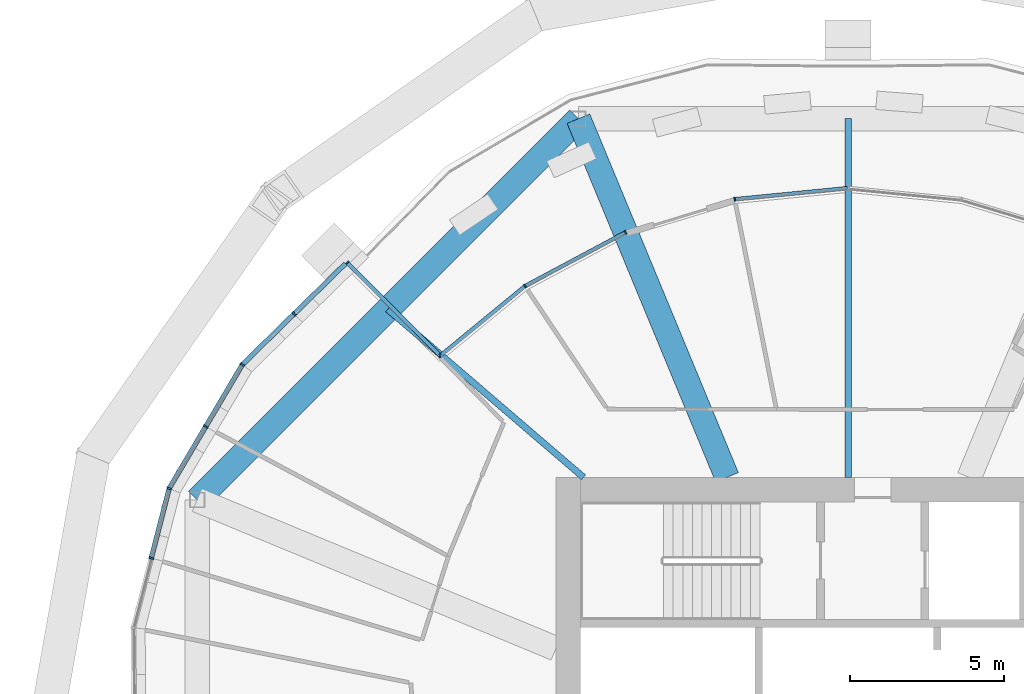
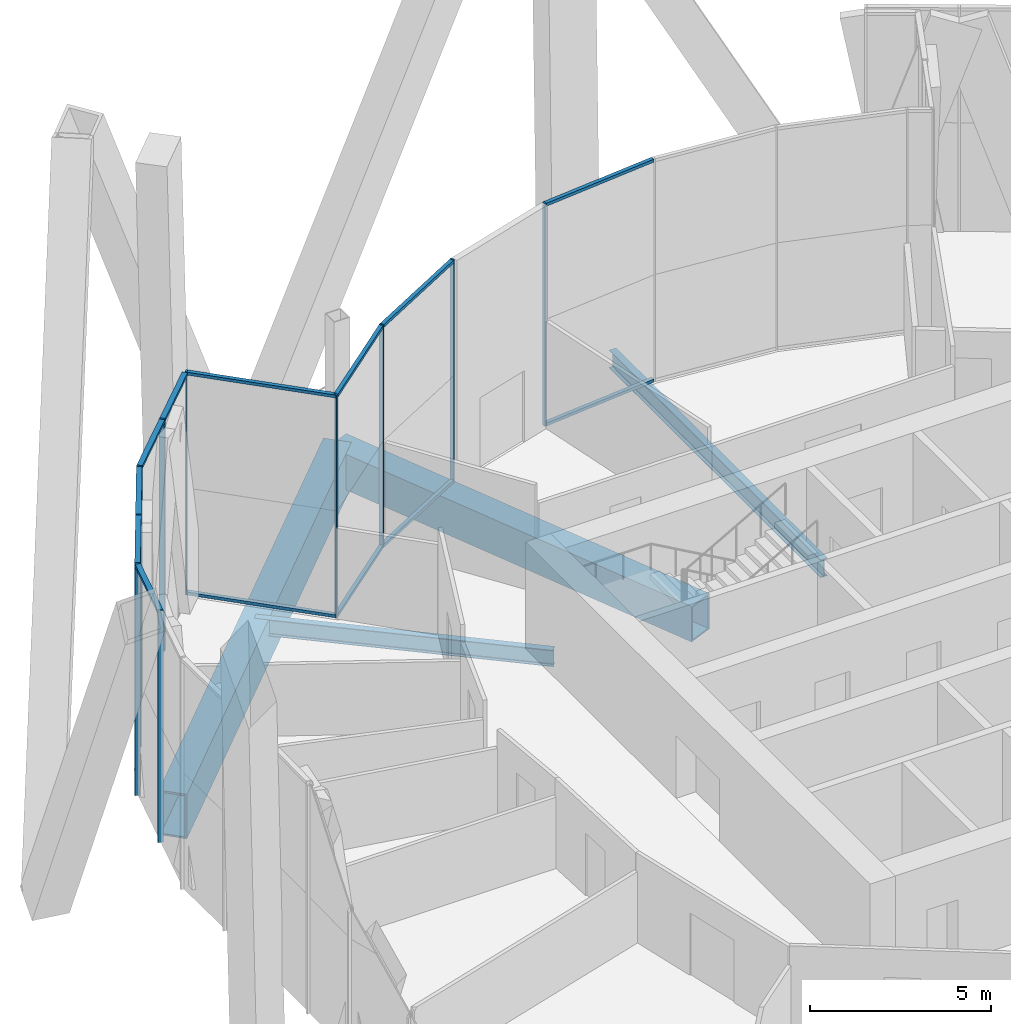
# One storey, part 7 of 31: 23 members, 4 beams, 3 elements without a shape of their own.
"""IFC4 building model written with IfcOpenShell, lengths in metres."""

from ifc_helpers import new_model, si_unit, direction, frame, origin, origin_2d, place, context, subcontext, project, spatial, rectangle, hollow_rectangle, i_section, extrude, material, material_profile, profile_set, type_object, element, aggregate, save


model = new_model("IFC4")

# Units and contexts
model_context = context("Model", 3, precision=1e-05, world=origin(), true_north=direction((0.0, 1.0)))
body_context = subcontext(model_context, "Body", "Model", "MODEL_VIEW")
ifc_project = project(units=[si_unit("LENGTHUNIT", "METRE"), si_unit("AREAUNIT", "SQUARE_METRE"), si_unit("VOLUMEUNIT", "CUBIC_METRE"), si_unit("PLANEANGLEUNIT", "RADIAN"), si_unit("MASSUNIT", "GRAM", prefix="KILO")], contexts=[model_context])

# Site, building, storey
site_placement = place(None, origin())
site = spatial("IfcSite", under=ifc_project, at=site_placement, CompositionType="ELEMENT")
building_placement = place(site_placement, origin())
building = spatial("IfcBuilding", under=site, at=building_placement, Name="Ogive Gate Towers", CompositionType="ELEMENT")
storey_placement = place(building_placement, frame((0.0, 0.0, 55.800048828125)))
storey = spatial("IfcBuildingStorey", under=building, at=storey_placement, Name="L12", CompositionType="ELEMENT", Elevation=55.800048828125)

# Beams
ifc_material_1 = material(Name="Steel SM460", Category="steel")
ifc_material_profile_1 = material_profile(ifc_material_1, hollow_rectangle(XDim=0.800048828125, YDim=1.5, WallThickness=0.06005859375, at=origin_2d()), Name="BX 1500x800x60")
ifc_profile_set_1 = profile_set([ifc_material_profile_1], Name="Steel SM460")
beam_type_1 = type_object("IfcBeamType", Name="Edge girder BX 1500x800x60", PredefinedType="BEAM", material=ifc_profile_set_1)
beam_1_placement = place(storey_placement, frame((-44.763427734375, 21.15673828125, -1.050048828125), z_axis=(-0.707106781187, -0.707106781187, 0.0), x_axis=(0.707106781187, -0.707106781187, 0.0)))
element("IfcBeam", 1, at=beam_1_placement, inside=storey, type_object=beam_type_1, Name="T1/L12/SBM023", PredefinedType="BEAM", context=body_context, shape_type="SweptSolid", body=[
    extrude(hollow_rectangle(XDim=0.800048828125, YDim=1.5, WallThickness=0.06005859375, at=origin_2d()), origin(), (0.0, 0.0, 1.0), 17.52685546875),
])
ifc_material_2 = material(Name="Steel SM355", Category="steel")
ifc_material_profile_2 = material_profile(ifc_material_2, i_section(OverallWidth=0.2099609375, OverallDepth=0.550048828125, WebThickness=0.010986328125, FlangeThickness=0.01708984375, FilletRadius=0.02392578125, at=origin_2d()), Name="IPE 550")
ifc_profile_set_2 = profile_set([ifc_material_profile_2], Name="Steel SM355")
beam_type_2 = type_object("IfcBeamType", Name="Radial floor beam IPE 550", PredefinedType="BEAM", material=ifc_profile_set_2)
beam_2_placement = place(storey_placement, frame((-44.60009765625, 9.5, -0.574951171875), z_axis=(-0.75874444664, 0.651388413078, 0.0), x_axis=(-0.651388413078, -0.75874444664, 0.0)))
element("IfcBeam", 2, at=beam_2_placement, inside=storey, type_object=beam_type_2, Name="T1/L12/SBM014", PredefinedType="BEAM", context=body_context, shape_type="SweptSolid", body=[
    extrude(i_section(OverallWidth=0.2099609375, OverallDepth=0.550048828125, WebThickness=0.010986328125, FlangeThickness=0.01708984375, FilletRadius=0.02392578125, at=origin_2d()), origin(), (0.0, 0.0, 1.0), 8.38232421875),
])
ifc_material_profile_3 = material_profile(ifc_material_2, i_section(OverallWidth=0.219970703125, OverallDepth=0.60009765625, WebThickness=0.011962890625, FlangeThickness=0.01904296875, FilletRadius=0.02392578125, at=origin_2d()), Name="IPE 600")
ifc_profile_set_3 = profile_set([ifc_material_profile_3], Name="Steel SM355")
beam_type_3 = type_object("IfcBeamType", Name="Radial floor beam IPE 600", PredefinedType="BEAM", material=ifc_profile_set_3)
beam_3_placement = place(storey_placement, frame((-36.0, 9.5, -0.60009765625), z_axis=(0.0, 1.0, 0.0), x_axis=(-1.0, 0.0, 0.0)))
element("IfcBeam", 3, at=beam_3_placement, inside=storey, type_object=beam_type_3, Name="T1/L12/SBM012", PredefinedType="BEAM", context=body_context, shape_type="SweptSolid", body=[
    extrude(i_section(OverallWidth=0.219970703125, OverallDepth=0.60009765625, WebThickness=0.011962890625, FlangeThickness=0.01904296875, FilletRadius=0.02392578125, at=origin_2d()), origin(), (0.0, 0.0, 1.0), 11.65673828125),
])

# Curtain wall, members
ifc_material_3 = material(Name="Pale metal aluminium", Category="aluminium")
curtain_wall_type_1 = type_object("IfcCurtainWallType", Name="Sky garden glazing", PredefinedType="NOTDEFINED", material=ifc_material_3)
curtain_wall_1_placement = place(storey_placement, origin())
curtain_wall_1 = element("IfcCurtainWall", 4, at=curtain_wall_1_placement, inside=storey, type_object=curtain_wall_type_1, Name="CW4 T1 ECW02", PredefinedType="NOTDEFINED")
ifc_material_profile_4 = material_profile(ifc_material_3, rectangle(XDim=0.1201171875, YDim=0.050048828125, at=origin_2d()), Name="50 x 120 aluminium box")
ifc_profile_set_4 = profile_set([ifc_material_profile_4], Name="Pale metal aluminium")
member_type_1 = type_object("IfcMemberType", Name="Sky garden glazing mullion 50 x 120", PredefinedType="MULLION", material=ifc_profile_set_4)
member_1_placement = place(storey_placement, frame((-52.27685546875, 16.474853515625, 0.0), z_axis=(0.0, 0.0, 1.0), x_axis=(-0.707106781187, -0.707106781187, 0.0)))
member_1 = element("IfcMember", 5, at=member_1_placement, type_object=member_type_1, Name="CW4 mullion", PredefinedType="MULLION", context=body_context, shape_type="SweptSolid", body=[
    extrude(rectangle(XDim=0.1201171875, YDim=0.050048828125, at=origin_2d()), origin(), (0.0, 0.0, 1.0), 7.5),
])
member_2_placement = place(storey_placement, frame((-49.256591796875, 13.440185546875, 0.0), z_axis=(0.0, 0.0, 1.0), x_axis=(-0.04907639046, -0.998795027971, 0.0)))
member_2 = element("IfcMember", 6, at=member_2_placement, type_object=member_type_1, Name="CW4 mullion", PredefinedType="MULLION", context=body_context, shape_type="SweptSolid", body=[
    extrude(rectangle(XDim=0.1201171875, YDim=0.050048828125, at=origin_2d()), origin(), (0.0, 0.0, 1.0), 7.5),
])
member_3_placement = place(storey_placement, frame((-46.50048828125, 15.715087890625, 0.0), z_axis=(0.0, 0.0, 1.0), x_axis=(0.55557023302, -0.831469612303, 0.0)))
member_3 = element("IfcMember", 7, at=member_3_placement, type_object=member_type_1, Name="CW4 mullion", PredefinedType="MULLION", context=body_context, shape_type="SweptSolid", body=[
    extrude(rectangle(XDim=0.1201171875, YDim=0.050048828125, at=origin_2d()), origin(), (0.0, 0.0, 1.0), 7.5),
])
member_4_placement = place(storey_placement, frame((-43.236572265625, 17.460205078125, 0.0), z_axis=(0.0, 0.0, 1.0), x_axis=(0.471396736826, -0.881921264348, 0.0)))
member_4 = element("IfcMember", 8, at=member_4_placement, type_object=member_type_1, Name="CW4 mullion", PredefinedType="MULLION", context=body_context, shape_type="SweptSolid", body=[
    extrude(rectangle(XDim=0.1201171875, YDim=0.050048828125, at=origin_2d()), origin(), (0.0, 0.0, 1.0), 7.5),
])

# Curtain wall, member
curtain_wall_2_placement = place(storey_placement, origin())
curtain_wall_2 = element("IfcCurtainWall", 9, at=curtain_wall_2_placement, inside=storey, type_object=curtain_wall_type_1, Name="CW4 T1 ECW02b", PredefinedType="NOTDEFINED")
member_5_placement = place(storey_placement, frame((-39.683349609375, 18.537841796875, 0.0), z_axis=(0.0, 0.0, 1.0), x_axis=(0.09801714033, -0.995184726672, 0.0)))
member_5 = element("IfcMember", 10, at=member_5_placement, type_object=member_type_1, Name="CW4 mullion", PredefinedType="MULLION", context=body_context, shape_type="SweptSolid", body=[
    extrude(rectangle(XDim=0.1201171875, YDim=0.050048828125, at=origin_2d()), origin(), (0.0, 0.0, 1.0), 7.5),
])

# Member
ifc_material_profile_5 = material_profile(ifc_material_3, rectangle(XDim=0.1201171875, YDim=0.10009765625, at=origin_2d()), Name="100 x 120 aluminium box")
ifc_profile_set_5 = profile_set([ifc_material_profile_5], Name="Pale metal aluminium")
member_type_2 = type_object("IfcMemberType", Name="Sky garden glazing transom 100 x 120", PredefinedType="USERDEFINED", material=ifc_profile_set_5)
member_6_placement = place(storey_placement, frame((-52.25927734375, 16.457275390625, 7.449951171875), z_axis=(0.707106781187, -0.707106781187, 0.0), x_axis=(0.707106781187, 0.707106781187, 0.0)))
member_6 = element("IfcMember", 11, at=member_6_placement, type_object=member_type_2, Name="CW4 transom", ObjectType="TRANSOM", PredefinedType="USERDEFINED", context=body_context, shape_type="SweptSolid", body=[
    extrude(rectangle(XDim=0.1201171875, YDim=0.10009765625, at=origin_2d()), origin(), (0.0, 0.0, 1.0), 4.258544921875),
])

member_7_placement = place(storey_placement, frame((-52.25927734375, 16.457275390625, 0.050048828125), z_axis=(0.707106781187, -0.707106781187, 0.0), x_axis=(0.707106781187, 0.707106781187, 0.0)))
member_7 = element("IfcMember", 12, at=member_7_placement, type_object=member_type_2, Name="CW4 transom", ObjectType="TRANSOM", PredefinedType="USERDEFINED", context=body_context, shape_type="SweptSolid", body=[
    extrude(rectangle(XDim=0.1201171875, YDim=0.10009765625, at=origin_2d()), origin(), (0.0, 0.0, 1.0), 4.258544921875),
])

member_8_placement = place(storey_placement, frame((-49.264892578125, 13.447021484375, 7.449951171875), z_axis=(0.773045674903, 0.634350364163, 0.0), x_axis=(-0.634350364163, 0.773045674903, 0.0)))
member_8 = element("IfcMember", 13, at=member_8_placement, type_object=member_type_2, Name="CW4 transom", ObjectType="TRANSOM", PredefinedType="USERDEFINED", context=body_context, shape_type="SweptSolid", body=[
    extrude(rectangle(XDim=0.1201171875, YDim=0.10009765625, at=origin_2d()), origin(), (0.0, 0.0, 1.0), 3.546875),
])

member_9_placement = place(storey_placement, frame((-49.264892578125, 13.447021484375, 0.050048828125), z_axis=(0.773045674903, 0.634350364163, 0.0), x_axis=(-0.634350364163, 0.773045674903, 0.0)))
member_9 = element("IfcMember", 14, at=member_9_placement, type_object=member_type_2, Name="CW4 transom", ObjectType="TRANSOM", PredefinedType="USERDEFINED", context=body_context, shape_type="SweptSolid", body=[
    extrude(rectangle(XDim=0.1201171875, YDim=0.10009765625, at=origin_2d()), origin(), (0.0, 0.0, 1.0), 3.546875),
])

member_10_placement = place(storey_placement, frame((-46.47509765625, 15.72900390625, 7.449951171875), z_axis=(0.881926390853, 0.471387145684, 0.0), x_axis=(-0.471387145684, 0.881926390853, 0.0)))
member_10 = element("IfcMember", 15, at=member_10_placement, type_object=member_type_2, Name="CW4 transom", ObjectType="TRANSOM", PredefinedType="USERDEFINED", context=body_context, shape_type="SweptSolid", body=[
    extrude(rectangle(XDim=0.1201171875, YDim=0.10009765625, at=origin_2d()), origin(), (0.0, 0.0, 1.0), 3.647216796875),
])

member_11_placement = place(storey_placement, frame((-46.47509765625, 15.72900390625, 0.050048828125), z_axis=(0.881926390853, 0.471387145684, 0.0), x_axis=(-0.471387145684, 0.881926390853, 0.0)))
member_11 = element("IfcMember", 16, at=member_11_placement, type_object=member_type_2, Name="CW4 transom", ObjectType="TRANSOM", PredefinedType="USERDEFINED", context=body_context, shape_type="SweptSolid", body=[
    extrude(rectangle(XDim=0.1201171875, YDim=0.10009765625, at=origin_2d()), origin(), (0.0, 0.0, 1.0), 3.647216796875),
])

aggregate(curtain_wall_1, [member_1, member_2, member_6, member_7, member_3, member_8, member_9, member_4, member_10, member_11])

member_12_placement = place(storey_placement, frame((-39.658447265625, 18.540283203125, 7.449951171875), z_axis=(0.99517996998, 0.098065423826, 0.0), x_axis=(-0.098065423826, 0.99517996998, 0.0)))
member_12 = element("IfcMember", 17, at=member_12_placement, type_object=member_type_2, Name="CW4 transom", ObjectType="TRANSOM", PredefinedType="USERDEFINED", context=body_context, shape_type="SweptSolid", body=[
    extrude(rectangle(XDim=0.1201171875, YDim=0.10009765625, at=origin_2d()), origin(), (0.0, 0.0, 1.0), 3.647216796875),
])

member_13_placement = place(storey_placement, frame((-39.658447265625, 18.540283203125, 0.050048828125), z_axis=(0.99517996998, 0.098065423826, 0.0), x_axis=(-0.098065423826, 0.99517996998, 0.0)))
member_13 = element("IfcMember", 18, at=member_13_placement, type_object=member_type_2, Name="CW4 transom", ObjectType="TRANSOM", PredefinedType="USERDEFINED", context=body_context, shape_type="SweptSolid", body=[
    extrude(rectangle(XDim=0.1201171875, YDim=0.10009765625, at=origin_2d()), origin(), (0.0, 0.0, 1.0), 3.647216796875),
])

aggregate(curtain_wall_2, [member_5, member_12, member_13])

# Curtain wall, members
curtain_wall_type_2 = type_object("IfcCurtainWallType", Name="Tower unitised wall, low zone", PredefinedType="NOTDEFINED", material=ifc_material_3)
curtain_wall_3_placement = place(storey_placement, origin())
curtain_wall_3 = element("IfcCurtainWall", 19, at=curtain_wall_3_placement, inside=storey, type_object=curtain_wall_type_2, Name="CW1 T1 ECW05", PredefinedType="NOTDEFINED")
ifc_material_profile_6 = material_profile(ifc_material_3, rectangle(XDim=0.159912109375, YDim=0.06005859375, at=origin_2d()), Name="60 x 160 aluminium box")
ifc_profile_set_6 = profile_set([ifc_material_profile_6], Name="Pale metal aluminium")
member_type_3 = type_object("IfcMemberType", Name="Tower unitised wall, low zone mullion 60 x 160", PredefinedType="MULLION", material=ifc_profile_set_6)
member_14_placement = place(storey_placement, frame((-58.6455078125, 6.874755859375, -0.300048828125), z_axis=(0.0, 0.0, 1.0), x_axis=(0.96850933072, -0.248977260623, 0.0)))
member_14 = element("IfcMember", 20, at=member_14_placement, type_object=member_type_3, Name="CW1 mullion", PredefinedType="MULLION", context=body_context, shape_type="SweptSolid", body=[
    extrude(rectangle(XDim=0.159912109375, YDim=0.06005859375, at=origin_2d()), origin(), (0.0, 0.0, 1.0), 7.800048828125),
])
member_15_placement = place(storey_placement, frame((-58.063232421875, 9.138916015625, -0.300048828125), z_axis=(0.0, 0.0, 1.0), x_axis=(0.923879532511, -0.382683432365, 0.0)))
member_15 = element("IfcMember", 21, at=member_15_placement, type_object=member_type_3, Name="CW1 mullion", PredefinedType="MULLION", context=body_context, shape_type="SweptSolid", body=[
    extrude(rectangle(XDim=0.159912109375, YDim=0.06005859375, at=origin_2d()), origin(), (0.0, 0.0, 1.0), 7.800048828125),
])
member_16_placement = place(storey_placement, frame((-56.8740234375, 11.151611328125, -0.300048828125), z_axis=(0.0, 0.0, 1.0), x_axis=(0.860901904603, -0.508770980552, 0.0)))
member_16 = element("IfcMember", 22, at=member_16_placement, type_object=member_type_3, Name="CW1 mullion", PredefinedType="MULLION", context=body_context, shape_type="SweptSolid", body=[
    extrude(rectangle(XDim=0.159912109375, YDim=0.06005859375, at=origin_2d()), origin(), (0.0, 0.0, 1.0), 7.800048828125),
])
member_17_placement = place(storey_placement, frame((-55.6845703125, 13.163818359375, -0.300048828125), z_axis=(0.0, 0.0, 1.0), x_axis=(0.787085768775, -0.616843572223, 0.0)))
member_17 = element("IfcMember", 23, at=member_17_placement, type_object=member_type_3, Name="CW1 mullion", PredefinedType="MULLION", context=body_context, shape_type="SweptSolid", body=[
    extrude(rectangle(XDim=0.159912109375, YDim=0.06005859375, at=origin_2d()), origin(), (0.0, 0.0, 1.0), 7.800048828125),
])
member_18_placement = place(storey_placement, frame((-54.0009765625, 14.813232421875, -0.300048828125), z_axis=(0.0, 0.0, 1.0), x_axis=(0.699800496526, -0.714338340748, 0.0)))
member_18 = element("IfcMember", 24, at=member_18_placement, type_object=member_type_3, Name="CW1 mullion", PredefinedType="MULLION", context=body_context, shape_type="SweptSolid", body=[
    extrude(rectangle(XDim=0.159912109375, YDim=0.06005859375, at=origin_2d()), origin(), (0.0, 0.0, 1.0), 7.800048828125),
])
ifc_material_profile_7 = material_profile(ifc_material_3, rectangle(XDim=0.159912109375, YDim=0.10009765625, at=origin_2d()), Name="100 x 160 aluminium box")
ifc_profile_set_7 = profile_set([ifc_material_profile_7], Name="Pale metal aluminium")
member_type_4 = type_object("IfcMemberType", Name="Tower unitised wall, low zone transom 100 x 160", PredefinedType="USERDEFINED", material=ifc_profile_set_7)
member_19_placement = place(storey_placement, frame((-58.637939453125, 6.90380859375, 7.449951171875), z_axis=(0.248969140197, 0.968511418224, 0.0), x_axis=(-0.968511418224, 0.248969140197, 0.0)))
member_19 = element("IfcMember", 25, at=member_19_placement, type_object=member_type_4, Name="CW1 transom", ObjectType="TRANSOM", PredefinedType="USERDEFINED", context=body_context, shape_type="SweptSolid", body=[
    extrude(rectangle(XDim=0.159912109375, YDim=0.10009765625, at=origin_2d()), origin(), (0.0, 0.0, 1.0), 2.27490234375),
])
member_20_placement = place(storey_placement, frame((-58.046630859375, 9.167236328125, 7.449951171875), z_axis=(0.508754624554, 0.860911570369, 0.0), x_axis=(-0.860911570369, 0.508754624554, 0.0)))
member_20 = element("IfcMember", 26, at=member_20_placement, type_object=member_type_4, Name="CW1 transom", ObjectType="TRANSOM", PredefinedType="USERDEFINED", context=body_context, shape_type="SweptSolid", body=[
    extrude(rectangle(XDim=0.159912109375, YDim=0.10009765625, at=origin_2d()), origin(), (0.0, 0.0, 1.0), 2.274658203125),
])
member_21_placement = place(storey_placement, frame((-56.85888671875, 11.17724609375, 7.449951171875), z_axis=(0.508787159953, 0.860892342785, 0.0), x_axis=(-0.860892342785, 0.508787159953, 0.0)))
member_21 = element("IfcMember", 27, at=member_21_placement, type_object=member_type_4, Name="CW1 transom", ObjectType="TRANSOM", PredefinedType="USERDEFINED", context=body_context, shape_type="SweptSolid", body=[
    extrude(rectangle(XDim=0.159912109375, YDim=0.10009765625, at=origin_2d()), origin(), (0.0, 0.0, 1.0), 2.27490234375),
])
member_22_placement = place(storey_placement, frame((-55.661376953125, 13.186767578125, 7.449951171875), z_axis=(0.714358581375, 0.699779834816, 0.0), x_axis=(-0.699779834816, 0.714358581375, 0.0)))
member_22 = element("IfcMember", 28, at=member_22_placement, type_object=member_type_4, Name="CW1 transom", ObjectType="TRANSOM", PredefinedType="USERDEFINED", context=body_context, shape_type="SweptSolid", body=[
    extrude(rectangle(XDim=0.159912109375, YDim=0.10009765625, at=origin_2d()), origin(), (0.0, 0.0, 1.0), 2.294189453125),
])
member_23_placement = place(storey_placement, frame((-53.9794921875, 14.834228515625, 7.449951171875), z_axis=(0.714305387477, 0.699834132792, 0.0), x_axis=(-0.699834132792, 0.714305387477, 0.0)))
member_23 = element("IfcMember", 29, at=member_23_placement, type_object=member_type_4, Name="CW1 transom", ObjectType="TRANSOM", PredefinedType="USERDEFINED", context=body_context, shape_type="SweptSolid", body=[
    extrude(rectangle(XDim=0.159912109375, YDim=0.10009765625, at=origin_2d()), origin(), (0.0, 0.0, 1.0), 2.29443359375),
])
aggregate(curtain_wall_3, [member_14, member_15, member_19, member_16, member_20, member_17, member_21, member_18, member_22, member_23])

# Beam
ifc_material_profile_8 = material_profile(ifc_material_1, hollow_rectangle(XDim=0.800048828125, YDim=1.199951171875, WallThickness=0.050048828125, at=origin_2d()), Name="BX 1200x800x50")
ifc_profile_set_8 = profile_set([ifc_material_profile_8], Name="Steel SM460")
beam_type_4 = type_object("IfcBeamType", Name="Transfer radial beam BX 1200x800x50", PredefinedType="BEAM", material=ifc_profile_set_8)
beam_4_placement = place(storey_placement, frame((-39.93505859375, 9.5, -0.900146484375), z_axis=(-0.382682759347, 0.923879811284, 0.0), x_axis=(-0.923879811284, -0.382682759347, 0.0)))
element("IfcBeam", 30, at=beam_4_placement, inside=storey, type_object=beam_type_4, Name="T1/L12/SBM013", PredefinedType="BEAM", context=body_context, shape_type="SweptSolid", body=[
    extrude(hollow_rectangle(XDim=0.800048828125, YDim=1.199951171875, WallThickness=0.050048828125, at=origin_2d()), origin(), (0.0, 0.0, 1.0), 12.6171875),
])

save(model, "model.ifc")
